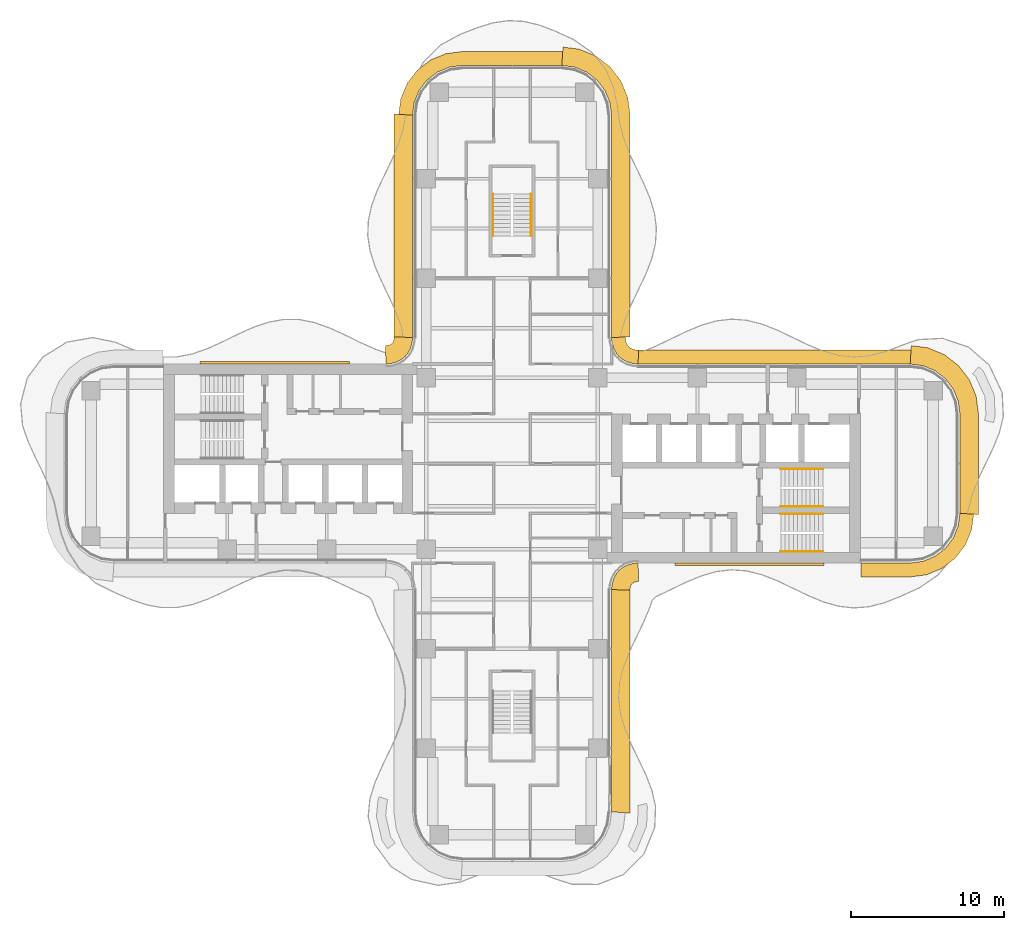
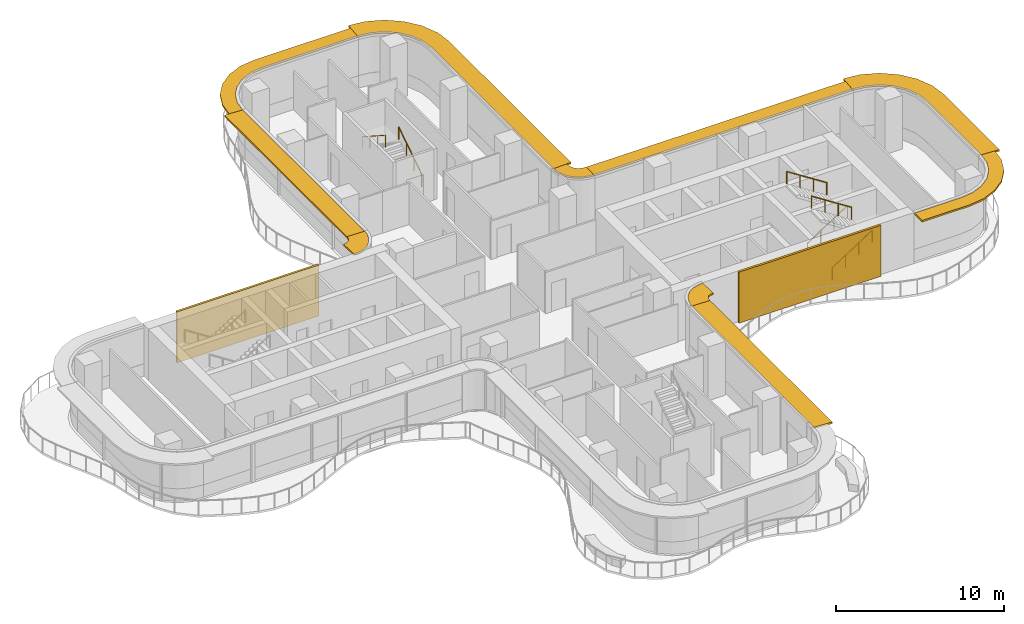
# One storey, part 18 of 18: 10 shading devices, 6 railings, 2 coverings.
"""IFC4 building model written with IfcOpenShell, lengths in metres."""

from ifc_helpers import new_model, si_unit, direction, frame, origin, origin_2d, place, context, subcontext, project, spatial, polyline, circle, outline, extrude, source, transform, mapped, material, layer, layer_set, type_object, element, save


model = new_model("IFC4")

# Units and contexts
model_context = context("Model", 3, precision=1e-05, world=origin(), true_north=direction((0.0, 1.0)))
body_context = subcontext(model_context, "Body", "Model", "MODEL_VIEW")
ifc_project = project(units=[si_unit("LENGTHUNIT", "METRE"), si_unit("AREAUNIT", "SQUARE_METRE"), si_unit("VOLUMEUNIT", "CUBIC_METRE"), si_unit("PLANEANGLEUNIT", "RADIAN"), si_unit("MASSUNIT", "GRAM", prefix="KILO")], contexts=[model_context])

# Site, building, storey
site_placement = place(None, origin())
site = spatial("IfcSite", under=ifc_project, at=site_placement, CompositionType="ELEMENT")
building_placement = place(site_placement, origin())
building = spatial("IfcBuilding", under=site, at=building_placement, Name="Trellis Farm Tower", CompositionType="ELEMENT")
storey_placement = place(building_placement, frame((0.0, 0.0, 177.60009765625)))
storey = spatial("IfcBuildingStorey", under=building, at=storey_placement, Name="L38", CompositionType="ELEMENT", Elevation=177.60009765625)

# Railings
ifc_material_1 = material(Name="Stainless steel", Category="steel")
railing_type = type_object("IfcRailingType", Name="STAIR HANDRAIL 900", PredefinedType="HANDRAIL", material=ifc_material_1)
shared_shape_1 = source(origin(), body_context, "Body", "SweptSolid", [
    extrude(circle(Radius=0.02392578125, at=origin_2d()), frame((0.0, 0.0, 0.8759765625), z_axis=(0.0, 0.840503830235, 0.541805602924), x_axis=(-1.0, 0.0, 0.0)), (0.0, 0.0, 1.0), 3.271728515625),
    extrude(circle(Radius=0.02099609375, at=origin_2d()), origin(), (0.0, 0.0, 1.0), 0.851806640625),
    extrude(circle(Radius=0.02099609375, at=origin_2d()), frame((0.0, 0.916748046875, 0.5908203125)), (0.0, 0.0, 1.0), 0.851806640625),
    extrude(circle(Radius=0.02099609375, at=origin_2d()), frame((0.0, 1.833251953125, 1.181884765625)), (0.0, 0.0, 1.0), 0.851806640625),
    extrude(circle(Radius=0.02099609375, at=origin_2d()), frame((0.0, 2.75, 1.772705078125)), (0.0, 0.0, 1.0), 0.851806640625),
])
railing_1_placement = place(storey_placement, frame((1.25, 14.85009765625, 0.17724609375)))
element("IfcRailing", 1, at=railing_1_placement, inside=storey, type_object=railing_type, Name="Stair handrail", PredefinedType="HANDRAIL", context=body_context, shape_type="MappedRepresentation", body=[
    mapped(shared_shape_1, transform((0.0, 0.0, 0.0))),
])
shared_shape_2 = source(origin(), body_context, "Body", "SweptSolid", [
    extrude(circle(Radius=0.02392578125, at=origin_2d()), frame((0.0, 0.0, 0.8759765625), z_axis=(0.0, -0.840503830235, 0.541805602924), x_axis=(1.0, 0.0, 0.0)), (0.0, 0.0, 1.0), 3.271728515625),
    extrude(circle(Radius=0.02099609375, at=origin_2d()), origin(), (0.0, 0.0, 1.0), 0.851806640625),
    extrude(circle(Radius=0.02099609375, at=origin_2d()), frame((0.0, -0.916748046875, 0.5908203125)), (0.0, 0.0, 1.0), 0.851806640625),
    extrude(circle(Radius=0.02099609375, at=origin_2d()), frame((0.0, -1.833251953125, 1.181884765625)), (0.0, 0.0, 1.0), 0.851806640625),
    extrude(circle(Radius=0.02099609375, at=origin_2d()), frame((0.0, -2.75, 1.772705078125)), (0.0, 0.0, 1.0), 0.851806640625),
])
railing_2_placement = place(storey_placement, frame((-1.25, 17.60009765625, 2.127197265625)))
element("IfcRailing", 2, at=railing_2_placement, inside=storey, type_object=railing_type, Name="Stair handrail", PredefinedType="HANDRAIL", context=body_context, shape_type="MappedRepresentation", body=[
    mapped(shared_shape_2, transform((0.0, 0.0, 0.0))),
])
shared_shape_3 = source(origin(), body_context, "Body", "SweptSolid", [
    extrude(circle(Radius=0.02392578125, at=origin_2d()), frame((0.0, 0.0, 0.8759765625), z_axis=(0.840503830235, 0.0, 0.541805602924), x_axis=(0.0, 1.0, 0.0)), (0.0, 0.0, 1.0), 3.271728515625),
    extrude(circle(Radius=0.02099609375, at=origin_2d()), origin(), (0.0, 0.0, 1.0), 0.851806640625),
    extrude(circle(Radius=0.02099609375, at=origin_2d()), frame((0.916748046875, 0.0, 0.5908203125)), (0.0, 0.0, 1.0), 0.851806640625),
    extrude(circle(Radius=0.02099609375, at=origin_2d()), frame((1.833251953125, 0.0, 1.181884765625)), (0.0, 0.0, 1.0), 0.851806640625),
    extrude(circle(Radius=0.02099609375, at=origin_2d()), frame((2.75, 0.0, 1.772705078125)), (0.0, 0.0, 1.0), 0.851806640625),
])
for number, where, name in (
    (3, (17.550048828125, -5.75, 0.17724609375), "Stair handrail"),
    (4, (17.550048828125, -2.800048828125, 0.17724609375), "Stair handrail"),
):
    element("IfcRailing", number, at=place(storey_placement, frame(where)), inside=storey, type_object=railing_type, Name=name, PredefinedType="HANDRAIL", context=body_context, shape_type="MappedRepresentation", body=[
        mapped(shared_shape_3, transform((0.0, 0.0, 0.0))),
    ])
shared_shape_4 = source(origin(), body_context, "Body", "SweptSolid", [
    extrude(circle(Radius=0.02392578125, at=origin_2d()), frame((0.0, 0.0, 0.8759765625), z_axis=(-0.840503830235, 0.0, 0.541805602924), x_axis=(0.0, -1.0, 0.0)), (0.0, 0.0, 1.0), 3.271728515625),
    extrude(circle(Radius=0.02099609375, at=origin_2d()), origin(), (0.0, 0.0, 1.0), 0.851806640625),
    extrude(circle(Radius=0.02099609375, at=origin_2d()), frame((-0.916748046875, 0.0, 0.5908203125)), (0.0, 0.0, 1.0), 0.851806640625),
    extrude(circle(Radius=0.02099609375, at=origin_2d()), frame((-1.833251953125, 0.0, 1.181884765625)), (0.0, 0.0, 1.0), 0.851806640625),
    extrude(circle(Radius=0.02099609375, at=origin_2d()), frame((-2.75, 0.0, 1.772705078125)), (0.0, 0.0, 1.0), 0.851806640625),
])
for number, where, name in (
    (5, (20.300048828125, -3.300048828125, 2.127197265625), "Stair handrail"),
    (6, (20.300048828125, -0.35009765625, 2.127197265625), "Stair handrail"),
):
    element("IfcRailing", number, at=place(storey_placement, frame(where)), inside=storey, type_object=railing_type, Name=name, PredefinedType="HANDRAIL", context=body_context, shape_type="MappedRepresentation", body=[
        mapped(shared_shape_4, transform((0.0, 0.0, 0.0))),
    ])

# Shading devices
ifc_material_2 = material(Name="Aluminium extrusion 6063-T6", Category="aluminium")
ifc_layer_1 = layer(ifc_material_2, 0.1201171875)
ifc_layer_set_1 = layer_set([ifc_layer_1], Name="SUNSHADE BLADE 1200")
shading_device_type_1 = type_object("IfcShadingDeviceType", Name="SUNSHADE BLADE 1200", PredefinedType="USERDEFINED", material=ifc_layer_set_1)
shared_shape_5 = source(origin(), body_context, "Body", "SweptSolid", [
    extrude(outline(polyline([(7.699951171875, -22.82861328125), (7.699951171875, -8.270751953125), (6.5, -8.2314453125), (6.5, -22.75), (7.699951171875, -22.82861328125)])), origin(), (0.0, 0.0, 1.0), 0.1201171875),
])
placement_1 = place(storey_placement, frame((0.0, 0.0, 3.539794921875)))
element("IfcShadingDevice", 7, at=placement_1, inside=storey, type_object=shading_device_type_1, Name="SD2 005", ObjectType="SUNSHADE", PredefinedType="USERDEFINED", context=body_context, shape_type="MappedRepresentation", body=[
    mapped(shared_shape_5, transform((0.0, 0.0, 0.0))),
])
shared_shape_6 = source(origin(), body_context, "Body", "SweptSolid", [
    extrude(outline(polyline([(7.699951171875, -8.270751953125), (7.708740234375, -8.13720703125), (7.70703125, -8.150146484375), (7.7548828125, -7.9716796875), (7.80712890625, -7.881103515625), (7.881103515625, -7.80712890625), (7.9716796875, -7.7548828125), (8.150146484375, -7.70703125), (8.13720703125, -7.708740234375), (8.270751953125, -7.699951171875), (8.2314453125, -6.5), (8.01953125, -6.513916015625), (7.91552734375, -6.527587890625), (7.508544921875, -6.63671875), (7.144287109375, -6.846923828125), (6.846923828125, -7.144287109375), (6.63671875, -7.508544921875), (6.527587890625, -7.91552734375), (6.513916015625, -8.01953125), (6.5, -8.2314453125), (7.699951171875, -8.270751953125)])), origin(), (0.0, 0.0, 1.0), 0.1201171875),
])
element("IfcShadingDevice", 8, at=placement_1, inside=storey, type_object=shading_device_type_1, Name="SD2 006", ObjectType="SUNSHADE", PredefinedType="USERDEFINED", context=body_context, shape_type="MappedRepresentation", body=[
    mapped(shared_shape_6, transform((0.0, 0.0, 0.0))),
])
ifc_layer_2 = layer(ifc_material_2, 0.1201171875)
ifc_layer_set_2 = layer_set([ifc_layer_2], Name="SUNSHADE BLADE 900")
shading_device_type_2 = type_object("IfcShadingDeviceType", Name="SUNSHADE BLADE 900", PredefinedType="USERDEFINED", material=ifc_layer_set_2)
shared_shape_7 = source(origin(), body_context, "Body", "SweptSolid", [
    extrude(outline(polyline([(22.780029296875, -7.39990234375), (26.05908203125, -7.39990234375), (27.076171875, -7.26611328125), (28.078857421875, -6.850830078125), (28.93994140625, -6.18994140625), (29.600830078125, -5.328857421875), (30.01611328125, -4.326171875), (30.14990234375, -3.30908203125), (29.25, -3.25), (29.13916015625, -4.091064453125), (28.814697265625, -4.875), (28.298095703125, -5.548095703125), (27.625, -6.064697265625), (26.841064453125, -6.38916015625), (26.0, -6.5), (22.780029296875, -6.5), (22.780029296875, -7.39990234375)])), origin(), (0.0, 0.0, 1.0), 0.1201171875),
])
element("IfcShadingDevice", 9, at=placement_1, inside=storey, type_object=shading_device_type_2, Name="SD1 007", ObjectType="SUNSHADE", PredefinedType="USERDEFINED", context=body_context, shape_type="MappedRepresentation", body=[
    mapped(shared_shape_7, transform((0.0, 0.0, 0.0))),
])
shared_shape_8 = source(origin(), body_context, "Body", "SweptSolid", [
    extrude(outline(polyline([(30.449951171875, -3.32861328125), (30.449951171875, 3.32861328125), (30.308349609375, 4.404541015625), (29.86279296875, 5.480224609375), (29.154052734375, 6.404052734375), (28.230224609375, 7.11279296875), (27.154541015625, 7.558349609375), (26.07861328125, 7.699951171875), (26.0, 6.5), (26.841064453125, 6.38916015625), (27.625, 6.064697265625), (28.298095703125, 5.548095703125), (28.814697265625, 4.875), (29.13916015625, 4.091064453125), (29.25, 3.25), (29.25, -3.25), (30.449951171875, -3.32861328125)])), origin(), (0.0, 0.0, 1.0), 0.1201171875),
])
element("IfcShadingDevice", 10, at=placement_1, inside=storey, type_object=shading_device_type_1, Name="SD2 008", ObjectType="SUNSHADE", PredefinedType="USERDEFINED", context=body_context, shape_type="MappedRepresentation", body=[
    mapped(shared_shape_8, transform((0.0, 0.0, 0.0))),
])
shared_shape_9 = source(origin(), body_context, "Body", "SweptSolid", [
    extrude(outline(polyline([(26.05908203125, 7.39990234375), (8.2607421875, 7.39990234375), (8.2314453125, 6.5), (26.0, 6.5), (26.05908203125, 7.39990234375)])), origin(), (0.0, 0.0, 1.0), 0.1201171875),
])
element("IfcShadingDevice", 11, at=placement_1, inside=storey, type_object=shading_device_type_2, Name="SD1 009", ObjectType="SUNSHADE", PredefinedType="USERDEFINED", context=body_context, shape_type="MappedRepresentation", body=[
    mapped(shared_shape_9, transform((0.0, 0.0, 0.0))),
])
shared_shape_10 = source(origin(), body_context, "Body", "SweptSolid", [
    extrude(outline(polyline([(8.2607421875, 7.39990234375), (8.107666015625, 7.409912109375), (8.091552734375, 7.412109375), (7.85595703125, 7.475341796875), (7.697021484375, 7.567138671875), (7.567138671875, 7.697021484375), (7.475341796875, 7.85595703125), (7.412109375, 8.091552734375), (7.409912109375, 8.107666015625), (7.39990234375, 8.2607421875), (6.5, 8.2314453125), (6.513916015625, 8.01953125), (6.527587890625, 7.91552734375), (6.63671875, 7.508544921875), (6.846923828125, 7.144287109375), (7.144287109375, 6.846923828125), (7.508544921875, 6.63671875), (7.91552734375, 6.527587890625), (8.01953125, 6.513916015625), (8.2314453125, 6.5), (8.2607421875, 7.39990234375)])), origin(), (0.0, 0.0, 1.0), 0.1201171875),
])
element("IfcShadingDevice", 12, at=placement_1, inside=storey, type_object=shading_device_type_2, Name="SD1 010", ObjectType="SUNSHADE", PredefinedType="USERDEFINED", context=body_context, shape_type="MappedRepresentation", body=[
    mapped(shared_shape_10, transform((0.0, 0.0, 0.0))),
])
shared_shape_11 = source(origin(), body_context, "Body", "SweptSolid", [
    extrude(outline(polyline([(7.699951171875, 8.270751953125), (7.699951171875, 22.82861328125), (7.558349609375, 23.904541015625), (7.11279296875, 24.980224609375), (6.404052734375, 25.904052734375), (5.480224609375, 26.61279296875), (4.404541015625, 27.058349609375), (3.32861328125, 27.199951171875), (3.25, 26.0), (4.091064453125, 25.88916015625), (4.875, 25.564697265625), (5.548095703125, 25.048095703125), (6.064697265625, 24.375), (6.38916015625, 23.591064453125), (6.5, 22.75), (6.5, 8.2314453125), (7.699951171875, 8.270751953125)])), origin(), (0.0, 0.0, 1.0), 0.1201171875),
])
element("IfcShadingDevice", 13, at=placement_1, inside=storey, type_object=shading_device_type_1, Name="SD2 011", ObjectType="SUNSHADE", PredefinedType="USERDEFINED", context=body_context, shape_type="MappedRepresentation", body=[
    mapped(shared_shape_11, transform((0.0, 0.0, 0.0))),
])
shared_shape_12 = source(origin(), body_context, "Body", "SweptSolid", [
    extrude(outline(polyline([(3.30908203125, 26.89990234375), (-3.30908203125, 26.89990234375), (-4.326171875, 26.76611328125), (-5.328857421875, 26.350830078125), (-6.18994140625, 25.68994140625), (-6.850830078125, 24.828857421875), (-7.26611328125, 23.826171875), (-7.39990234375, 22.80908203125), (-6.5, 22.75), (-6.38916015625, 23.591064453125), (-6.064697265625, 24.375), (-5.548095703125, 25.048095703125), (-4.875, 25.564697265625), (-4.091064453125, 25.88916015625), (-3.25, 26.0), (3.25, 26.0), (3.30908203125, 26.89990234375)])), origin(), (0.0, 0.0, 1.0), 0.1201171875),
])
element("IfcShadingDevice", 14, at=placement_1, inside=storey, type_object=shading_device_type_2, Name="SD1 012", ObjectType="SUNSHADE", PredefinedType="USERDEFINED", context=body_context, shape_type="MappedRepresentation", body=[
    mapped(shared_shape_12, transform((0.0, 0.0, 0.0))),
])
shared_shape_13 = source(origin(), body_context, "Body", "SweptSolid", [
    extrude(outline(polyline([(-7.699951171875, 22.82861328125), (-7.699951171875, 8.270751953125), (-6.5, 8.2314453125), (-6.5, 22.75), (-7.699951171875, 22.82861328125)])), origin(), (0.0, 0.0, 1.0), 0.1201171875),
])
element("IfcShadingDevice", 15, at=placement_1, inside=storey, type_object=shading_device_type_1, Name="SD2 013", ObjectType="SUNSHADE", PredefinedType="USERDEFINED", context=body_context, shape_type="MappedRepresentation", body=[
    mapped(shared_shape_13, transform((0.0, 0.0, 0.0))),
])
shared_shape_14 = source(origin(), body_context, "Body", "SweptSolid", [
    extrude(outline(polyline([(-7.699951171875, 8.270751953125), (-7.708740234375, 8.13720703125), (-7.70703125, 8.150146484375), (-7.7548828125, 7.9716796875), (-7.80712890625, 7.881103515625), (-7.881103515625, 7.80712890625), (-7.9716796875, 7.7548828125), (-8.150146484375, 7.70703125), (-8.13720703125, 7.708740234375), (-8.270751953125, 7.699951171875), (-8.2314453125, 6.5), (-8.01953125, 6.513916015625), (-7.91552734375, 6.527587890625), (-7.508544921875, 6.63671875), (-7.144287109375, 6.846923828125), (-6.846923828125, 7.144287109375), (-6.63671875, 7.508544921875), (-6.527587890625, 7.91552734375), (-6.513916015625, 8.01953125), (-6.5, 8.2314453125), (-7.699951171875, 8.270751953125)])), origin(), (0.0, 0.0, 1.0), 0.1201171875),
])
element("IfcShadingDevice", 16, at=placement_1, inside=storey, type_object=shading_device_type_1, Name="SD2 014", ObjectType="SUNSHADE", PredefinedType="USERDEFINED", context=body_context, shape_type="MappedRepresentation", body=[
    mapped(shared_shape_14, transform((0.0, 0.0, 0.0))),
])

# Coverings
ifc_material_3 = material(Name="Perforated precast screen (cobogo)", Category="concrete")
ifc_layer_3 = layer(ifc_material_3, 0.14990234375)
ifc_layer_set_3 = layer_set([ifc_layer_3], Name="COBOGO SCREEN PANEL")
covering_type = type_object("IfcCoveringType", Name="COBOGO SCREEN PANEL", PredefinedType="USERDEFINED", material=ifc_layer_set_3)
shared_shape_15 = source(origin(), body_context, "Body", "SweptSolid", [
    extrude(outline(polyline([(10.630615234375, -6.64990234375), (20.380615234375, -6.64990234375), (20.380615234375, -6.5), (10.630615234375, -6.5), (10.630615234375, -6.64990234375)])), origin(), (0.0, 0.0, 1.0), 3.699951171875),
])
placement_2 = place(storey_placement, origin())
element("IfcCovering", 17, at=placement_2, inside=storey, type_object=covering_type, Name="SC1 01", ObjectType="SCREEN", PredefinedType="USERDEFINED", context=body_context, shape_type="MappedRepresentation", body=[
    mapped(shared_shape_15, transform((0.0, 0.0, 0.0))),
])
shared_shape_16 = source(origin(), body_context, "Body", "SweptSolid", [
    extrude(outline(polyline([(-10.630615234375, 6.64990234375), (-20.380615234375, 6.64990234375), (-20.380615234375, 6.5), (-10.630615234375, 6.5), (-10.630615234375, 6.64990234375)])), origin(), (0.0, 0.0, 1.0), 3.699951171875),
])
element("IfcCovering", 18, at=placement_2, inside=storey, type_object=covering_type, Name="SC1 02", ObjectType="SCREEN", PredefinedType="USERDEFINED", context=body_context, shape_type="MappedRepresentation", body=[
    mapped(shared_shape_16, transform((0.0, 0.0, 0.0))),
])

save(model, "model.ifc")
